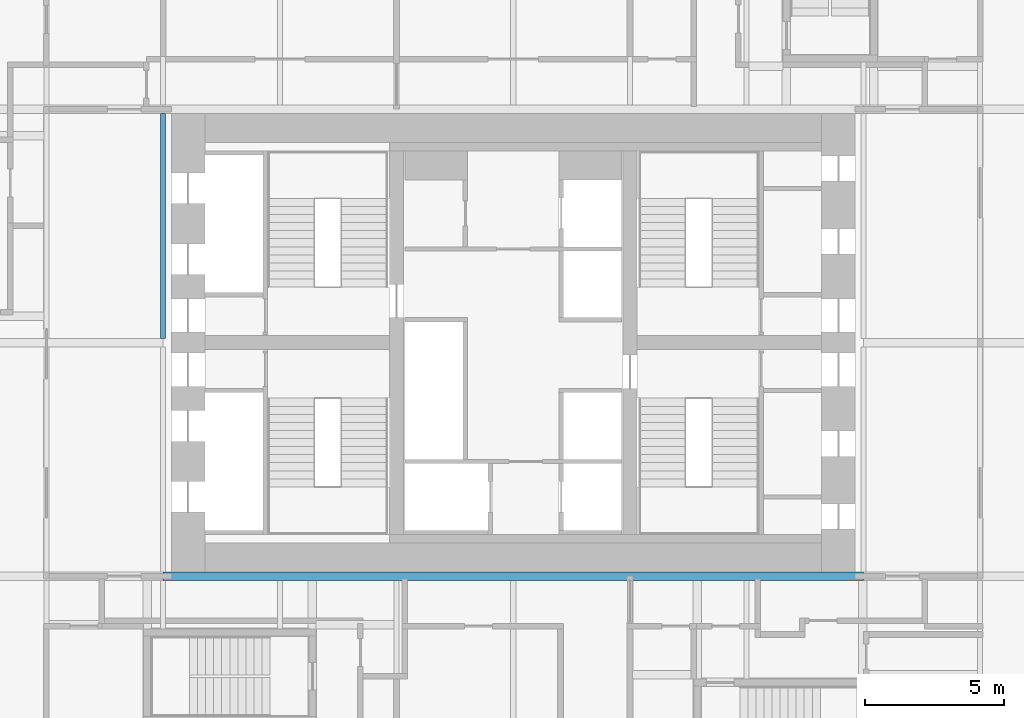
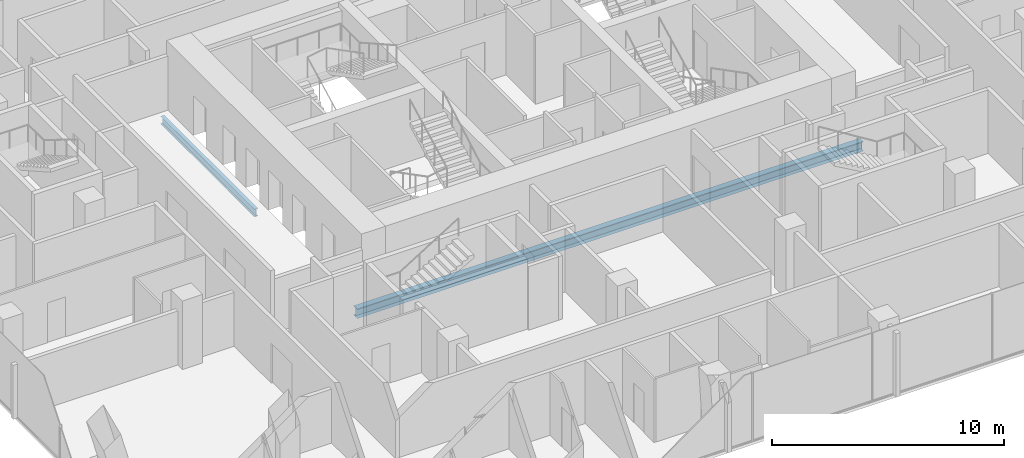
# One storey, part 5 of 27: 2 beams.
"""IFC4 building model written with IfcOpenShell, lengths in metres."""

from ifc_helpers import new_model, si_unit, direction, frame, origin, origin_2d, place, context, subcontext, project, spatial, i_section, extrude, material, material_profile, profile_set, type_object, element, save


model = new_model("IFC4")

# Units and contexts
model_context = context("Model", 3, precision=1e-05, world=origin(), true_north=direction((0.0, 1.0)))
body_context = subcontext(model_context, "Body", "Model", "MODEL_VIEW")
ifc_project = project(units=[si_unit("LENGTHUNIT", "METRE"), si_unit("AREAUNIT", "SQUARE_METRE"), si_unit("VOLUMEUNIT", "CUBIC_METRE"), si_unit("PLANEANGLEUNIT", "RADIAN"), si_unit("MASSUNIT", "GRAM", prefix="KILO")], contexts=[model_context])

# Site, building, storey
site_placement = place(None, origin())
site = spatial("IfcSite", under=ifc_project, at=site_placement, CompositionType="ELEMENT")
building_placement = place(site_placement, origin())
building = spatial("IfcBuilding", under=site, at=building_placement, Name="Marenta Gate Hotel Tower", CompositionType="ELEMENT")
storey_placement = place(building_placement, frame((0.0, 0.0, 36.5)))
storey = spatial("IfcBuildingStorey", under=building, at=storey_placement, Name="L06", CompositionType="ELEMENT", Elevation=36.5)

# Beams
ifc_material_1 = material(Name="Steel S355", Category="steel")
ifc_material_profile_1 = material_profile(ifc_material_1, i_section(OverallWidth=0.179931640625, OverallDepth=0.39990234375, WebThickness=0.008544921875, FlangeThickness=0.013427734375, FilletRadius=0.02099609375, at=origin_2d()), Name="IPE 400")
ifc_profile_set_1 = profile_set([ifc_material_profile_1], Name="Steel S355")
beam_type_1 = type_object("IfcBeamType", Name="Floor beam IPE 400", PredefinedType="JOIST", material=ifc_profile_set_1)
beam_1_placement = place(storey_placement, frame((-12.60009765625, 8.550048828125, -0.35009765625), z_axis=(0.0, 1.0, 0.0), x_axis=(-1.0, 0.0, 0.0)))
element("IfcBeam", 1, at=beam_1_placement, inside=storey, type_object=beam_type_1, Name="L06-FB-24", PredefinedType="JOIST", context=body_context, shape_type="SweptSolid", body=[
    extrude(i_section(OverallWidth=0.179931640625, OverallDepth=0.39990234375, WebThickness=0.008544921875, FlangeThickness=0.013427734375, FilletRadius=0.02099609375, at=origin_2d()), origin(), (0.0, 0.0, 1.0), 8.099853515625),
])
ifc_material_2 = material(Name="Steel S355", Category="steel")
ifc_material_profile_2 = material_profile(ifc_material_2, i_section(OverallWidth=0.300048828125, OverallDepth=0.5, WebThickness=0.014404296875, FlangeThickness=0.028076171875, FilletRadius=0.027099609375, at=origin_2d()), Name="HEB 500")
ifc_profile_set_2 = profile_set([ifc_material_profile_2], Name="Steel S355")
beam_type_2 = type_object("IfcBeamType", Name="Girder HEB 500", PredefinedType="BEAM", material=ifc_profile_set_2)
beam_2_placement = place(storey_placement, frame((-12.60009765625, 0.0, -0.39990234375), z_axis=(1.0, 0.0, 0.0), x_axis=(0.0, 1.0, 0.0)))
element("IfcBeam", 2, at=beam_2_placement, inside=storey, type_object=beam_type_2, Name="L06-GD-10", PredefinedType="BEAM", context=body_context, shape_type="SweptSolid", body=[
    extrude(i_section(OverallWidth=0.300048828125, OverallDepth=0.5, WebThickness=0.014404296875, FlangeThickness=0.028076171875, FilletRadius=0.027099609375, at=origin_2d()), origin(), (0.0, 0.0, 1.0), 25.2001953125),
])

save(model, "model.ifc")
